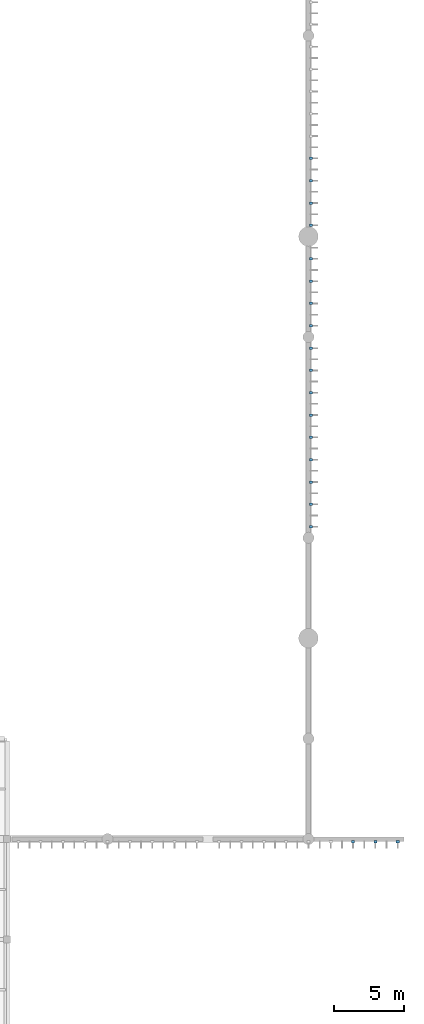
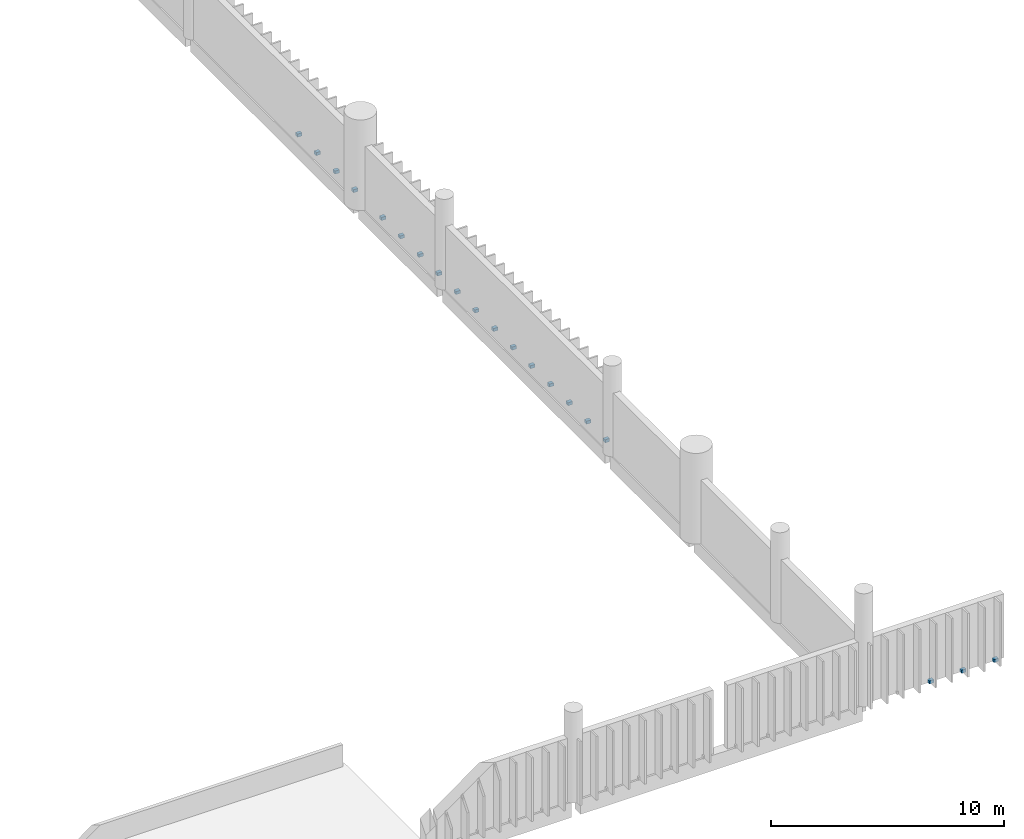
# One storey, part 54 of 64: 20 discrete accessories.
"""IFC4 building model written with IfcOpenShell, lengths in metres."""

from ifc_helpers import new_model, si_unit, direction, frame, origin, origin_2d, place, context, subcontext, project, spatial, rectangle, extrude, material, type_object, element, save


model = new_model("IFC4")

# Units and contexts
model_context = context("Model", 3, precision=1e-05, world=origin(), true_north=direction((0.0, 1.0)))
body_context = subcontext(model_context, "Body", "Model", "MODEL_VIEW")
ifc_project = project(units=[si_unit("LENGTHUNIT", "METRE"), si_unit("AREAUNIT", "SQUARE_METRE"), si_unit("VOLUMEUNIT", "CUBIC_METRE"), si_unit("PLANEANGLEUNIT", "RADIAN"), si_unit("MASSUNIT", "GRAM", prefix="KILO")], contexts=[model_context])

# Site, building, storey
site_placement = place(None, origin())
site = spatial("IfcSite", under=ifc_project, at=site_placement, CompositionType="ELEMENT")
building_placement = place(site_placement, origin())
building = spatial("IfcBuilding", under=site, at=building_placement, Name="Qandorah Velis Arena", CompositionType="ELEMENT")
storey_placement = place(building_placement, frame((0.0, 0.0, 23.0)))
storey = spatial("IfcBuildingStorey", under=building, at=storey_placement, Name="L05", CompositionType="ELEMENT", Elevation=23.0)

# Discrete accessories
ifc_material = material(Name="Stainless steel 316", Category="steel")
discrete_accessory_type = type_object("IfcDiscreteAccessoryType", Name="ARC-ACC-BRK", PredefinedType="BRACKET", material=ifc_material)
for number, where, z_axis, x_axis, name in (
    (1, (115.3798828125, 36.800048828125, -0.009765625), (0.0, 0.0, 1.0), (1.0, 0.0, 0.0), "Solar fin mounting bracket BRK-0010"),
    (2, (115.3798828125, 38.39990234375, -0.009765625), (0.0, 0.0, 1.0), (1.0, 0.0, 0.0), "Solar fin mounting bracket BRK-0011"),
    (3, (115.3798828125, 40.0, -0.009765625), (0.0, 0.0, 1.0), (1.0, 0.0, 0.0), "Solar fin mounting bracket BRK-0012"),
    (4, (115.3798828125, 41.60009765625, -0.009765625), (0.0, 0.0, 1.0), (1.0, 0.0, 0.0), "Solar fin mounting bracket BRK-0013"),
    (5, (115.3798828125, 43.199951171875, -0.009765625), (0.0, 0.0, 1.0), (1.0, 0.0, 0.0), "Solar fin mounting bracket BRK-0014"),
    (6, (115.3798828125, 44.800048828125, -0.009765625), (0.0, 0.0, 1.0), (1.0, 0.0, 0.0), "Solar fin mounting bracket BRK-0015"),
    (7, (115.3798828125, 46.39990234375, -0.009765625), (0.0, 0.0, 1.0), (1.0, 0.0, 0.0), "Solar fin mounting bracket BRK-0016"),
    (8, (115.3798828125, 48.0, -0.009765625), (0.0, 0.0, 1.0), (1.0, 0.0, 0.0), "Solar fin mounting bracket BRK-0017"),
    (9, (115.3798828125, 49.60009765625, -0.009765625), (0.0, 0.0, 1.0), (1.0, 0.0, 0.0), "Solar fin mounting bracket BRK-0018"),
    (10, (115.3798828125, 51.199951171875, -0.009765625), (0.0, 0.0, 1.0), (1.0, 0.0, 0.0), "Solar fin mounting bracket BRK-0023"),
    (11, (115.3798828125, 52.800048828125, -0.009765625), (0.0, 0.0, 1.0), (1.0, 0.0, 0.0), "Solar fin mounting bracket BRK-0024"),
    (12, (115.3798828125, 54.39990234375, -0.009765625), (0.0, 0.0, 1.0), (1.0, 0.0, 0.0), "Solar fin mounting bracket BRK-0025"),
    (13, (115.3798828125, 56.0, -0.009765625), (0.0, 0.0, 1.0), (1.0, 0.0, 0.0), "Solar fin mounting bracket BRK-0026"),
    (14, (115.3798828125, 58.39990234375, -0.009765625), (0.0, 0.0, 1.0), (1.0, 0.0, 0.0), "Solar fin mounting bracket BRK-0036"),
    (15, (115.3798828125, 60.0, -0.009765625), (0.0, 0.0, 1.0), (1.0, 0.0, 0.0), "Solar fin mounting bracket BRK-0037"),
    (16, (115.3798828125, 61.60009765625, -0.009765625), (0.0, 0.0, 1.0), (1.0, 0.0, 0.0), "Solar fin mounting bracket BRK-0038"),
    (17, (115.3798828125, 63.199951171875, -0.009765625), (0.0, 0.0, 1.0), (1.0, 0.0, 0.0), "Solar fin mounting bracket BRK-0039"),
    (18, (118.39990234375, 14.219970703125, -0.009765625), (0.0, 0.0, 1.0), (1.0, 0.0, 0.0), "Solar fin mounting bracket BRK-0132"),
    (19, (120.0, 14.219970703125, -0.009765625), (0.0, 0.0, 1.0), (1.0, 0.0, 0.0), "Solar fin mounting bracket BRK-0133"),
    (20, (121.60009765625, 14.219970703125, -0.009765625), (0.0, 0.0, 1.0), (1.0, 0.0, 0.0), "Solar fin mounting bracket BRK-0134"),
):
    element("IfcDiscreteAccessory", number, at=place(storey_placement, frame(where, z_axis=z_axis, x_axis=x_axis)), inside=storey, type_object=discrete_accessory_type, Name=name, PredefinedType="BRACKET", context=body_context, shape_type="SweptSolid", body=[
        extrude(rectangle(XDim=0.219970703125, YDim=0.179931640625, at=origin_2d()), origin(), (0.0, 0.0, 1.0), 0.159912109375),
    ])

save(model, "model.ifc")
